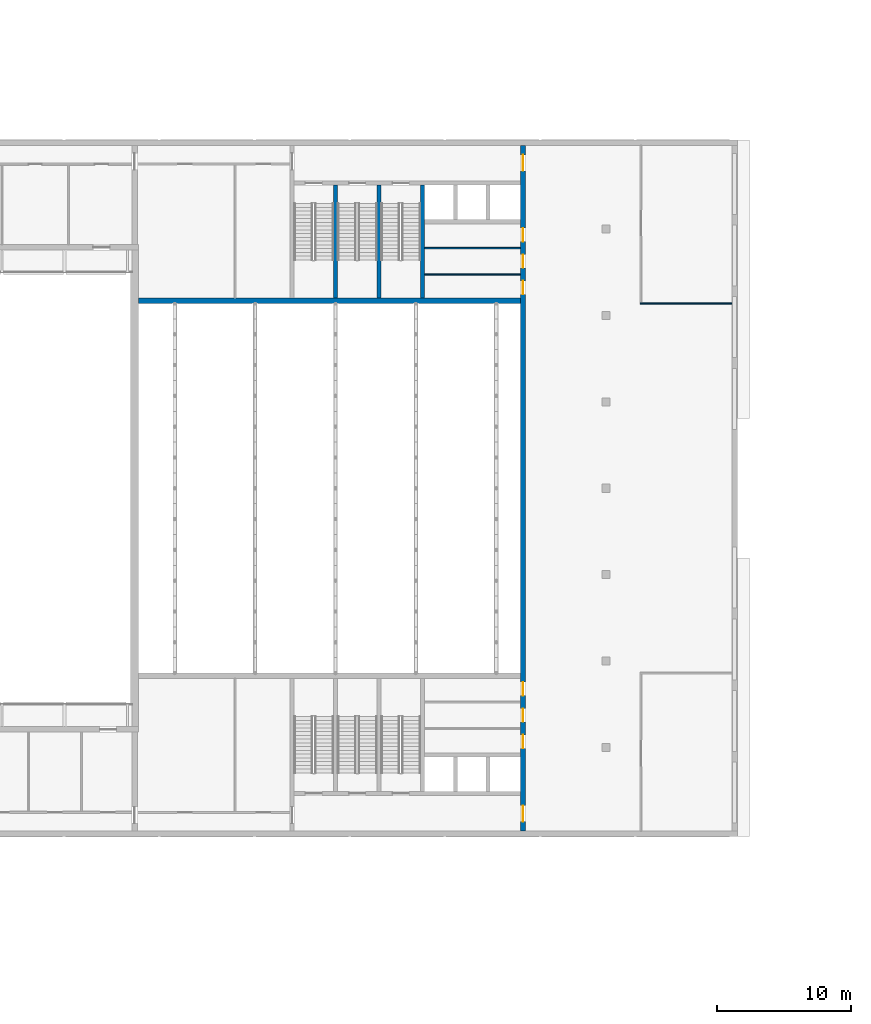
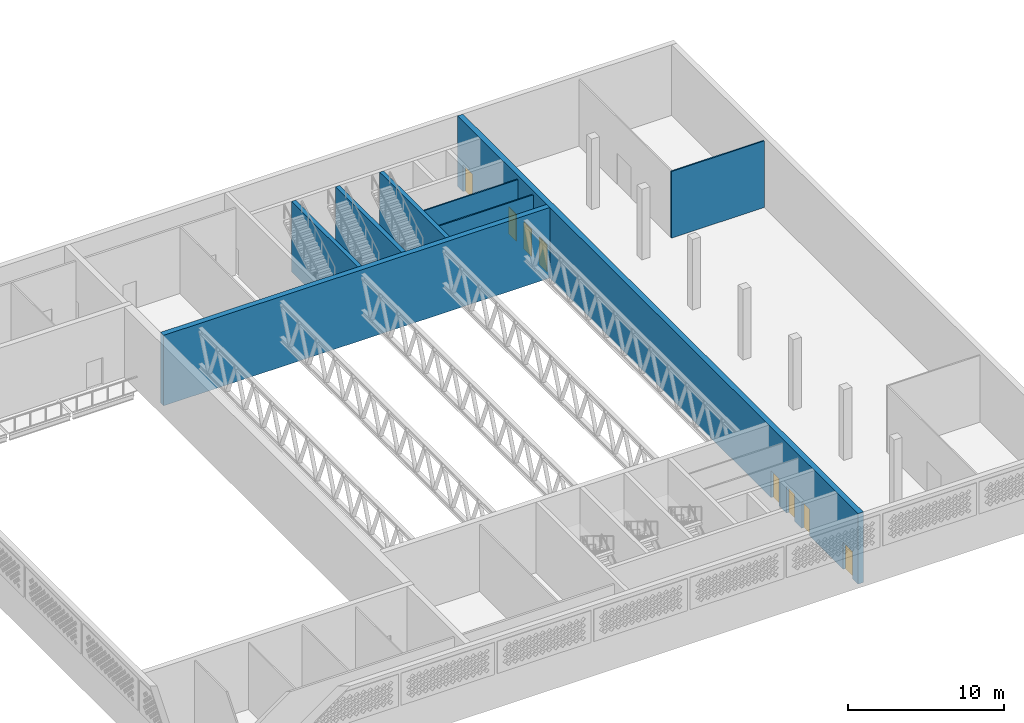
# One storey, part 11 of 69: 8 doors, 8 walls, 8 openings.
"""IFC4 building model written with IfcOpenShell, lengths in metres."""

from ifc_helpers import new_model, si_unit, direction, frame, frame_2d, origin, place, context, subcontext, project, spatial, rectangle, extrude, material, layer, layer_set, type_object, element, fill, save


model = new_model("IFC4")

# Units and contexts
model_context = context("Model", 3, precision=1e-05, world=origin(), true_north=direction((0.0, 1.0)))
body_context = subcontext(model_context, "Body", "Model", "MODEL_VIEW")
ifc_project = project(units=[si_unit("LENGTHUNIT", "METRE"), si_unit("AREAUNIT", "SQUARE_METRE"), si_unit("VOLUMEUNIT", "CUBIC_METRE"), si_unit("PLANEANGLEUNIT", "RADIAN"), si_unit("MASSUNIT", "GRAM", prefix="KILO")], contexts=[model_context])

# Site, building, storey
site_placement = place(None, origin())
site = spatial("IfcSite", under=ifc_project, at=site_placement, CompositionType="ELEMENT")
building_placement = place(site_placement, origin())
building = spatial("IfcBuilding", under=site, at=building_placement, Name="Noorbagh Ring Tower", CompositionType="ELEMENT")
storey_placement = place(building_placement, frame((0.0, 0.0, 19.5)))
storey = spatial("IfcBuildingStorey", under=building, at=storey_placement, Name="L03", CompositionType="ELEMENT", Elevation=19.5)

# Walls
ifc_material_1 = material(Name="Gypsum board on steel studs", Category="steel")
ifc_layer_1 = layer(ifc_material_1, 0.10009765625)
ifc_layer_set_1 = layer_set([ifc_layer_1], Name="Gypsum board on steel studs")
wall_type_1 = type_object("IfcWallType", Name="TH-PART-100", PredefinedType="PARTITIONING", material=ifc_layer_set_1)
wall_1_placement = place(storey_placement, frame((-102.25, 18.800048828125, 0.0), z_axis=(0.0, 0.0, 1.0), x_axis=(1.0, 0.0, 0.0)))
element("IfcWall", 1, at=wall_1_placement, inside=storey, type_object=wall_type_1, Name="L03/th-wall/033", PredefinedType="PARTITIONING", context=body_context, shape_type="SweptSolid", body=[
    extrude(rectangle(XDim=6.85009765625, YDim=0.10009765625, at=frame_2d((3.425048828125, 0.0))), origin(), (0.0, 0.0, 1.0), 5.199951171875),
])
for number, where, z_axis, x_axis, name in (
    (2, (-118.35009765625, 20.967041015625, 0.0), (0.0, 0.0, 1.0), (1.0, 0.0, 0.0), "L03/th-wall/034"),
    (3, (-118.35009765625, 22.93310546875, 0.0), (0.0, 0.0, 1.0), (1.0, 0.0, 0.0), "L03/th-wall/035"),
):
    element("IfcWall", number, at=place(storey_placement, frame(where, z_axis=z_axis, x_axis=x_axis)), inside=storey, type_object=wall_type_1, Name=name, PredefinedType="PARTITIONING", context=body_context, shape_type="SweptSolid", body=[
        extrude(rectangle(XDim=7.150146484375, YDim=0.10009765625, at=frame_2d((3.5751953125, 0.0))), origin(), (0.0, 0.0, 1.0), 5.199951171875),
    ])
ifc_material_2 = material(Name="Concrete C50/60", Category="concrete")
ifc_layer_2 = layer(ifc_material_2, 0.300048828125)
ifc_layer_set_2 = layer_set([ifc_layer_2], Name="Concrete C50/60")
wall_type_2 = type_object("IfcWallType", Name="TH-WALL-CORE", PredefinedType="SHEAR", material=ifc_layer_set_2)
for number, where, z_axis, x_axis, name in (
    (4, (-125.0, 19.199951171875, 0.0), (0.0, 0.0, 1.0), (0.0, 1.0, 0.0), "Stair wall"),
    (5, (-121.75, 19.199951171875, 0.0), (0.0, 0.0, 1.0), (0.0, 1.0, 0.0), "Stair wall"),
    (6, (-118.5, 19.199951171875, 0.0), (0.0, 0.0, 1.0), (0.0, 1.0, 0.0), "Stair wall"),
):
    element("IfcWall", number, at=place(storey_placement, frame(where, z_axis=z_axis, x_axis=x_axis)), inside=storey, type_object=wall_type_2, Name=name, PredefinedType="SHEAR", context=body_context, shape_type="SweptSolid", body=[
        extrude(rectangle(XDim=8.449951171875, YDim=0.300048828125, at=frame_2d((4.22509765625, 0.0))), origin(), (0.0, 0.0, 1.0), 5.5),
    ])
ifc_material_3 = material(Name="Concrete C50/60", Category="concrete")
ifc_layer_3 = layer(ifc_material_3, 0.39990234375)
ifc_layer_set_3 = layer_set([ifc_layer_3], Name="Concrete C50/60")
wall_type_3 = type_object("IfcWallType", Name="TH-WALL-HALL", PredefinedType="SOLIDWALL", material=ifc_layer_set_3)
wall_2_placement = place(storey_placement, frame((-139.699951171875, 19.0, 0.0), z_axis=(0.0, 0.0, 1.0), x_axis=(1.0, 0.0, 0.0)))
element("IfcWall", 7, at=wall_2_placement, inside=storey, type_object=wall_type_3, Name="Auditorium wall north", PredefinedType="SOLIDWALL", context=body_context, shape_type="SweptSolid", body=[
    extrude(rectangle(XDim=28.5, YDim=0.39990234375, at=frame_2d((14.25, 0.0))), origin(), (0.0, 0.0, 1.0), 5.5),
])

# Wall, openings, doors
wall_3_placement = place(storey_placement, frame((-111.0, -20.60009765625, 0.0), z_axis=(0.0, 0.0, 1.0), x_axis=(0.0, 1.0, 0.0)))
wall_3 = element("IfcWall", 8, at=wall_3_placement, inside=storey, type_object=wall_type_3, Name="Auditorium rear wall", PredefinedType="SOLIDWALL", context=body_context, shape_type="SweptSolid", body=[
    extrude(rectangle(XDim=51.2001953125, YDim=0.39990234375, at=frame_2d((25.60009765625, 0.0))), origin(), (0.0, 0.0, 1.0), 5.5),
])
opening_1_placement = place(wall_3_placement, frame((0.699951171875, 0.0, 0.0)))
opening_1 = element("IfcOpeningElement", 9, at=opening_1_placement, cuts=wall_3, Name="Opening TL03-D28", PredefinedType="OPENING", context=body_context, shape_type="SweptSolid", body=[
    extrude(rectangle(XDim=1.199951171875, YDim=2.10009765625, at=frame_2d((0.60009765625, 1.050048828125))), frame((0.0, 0.2099609375, 0.0), z_axis=(0.0, -1.0, 0.0), x_axis=(1.0, 0.0, 0.0)), (0.0, 0.0, 1.0), 0.419921875),
])
opening_2_placement = place(wall_3_placement, frame((6.18408203125, 0.0, 0.0)))
opening_2 = element("IfcOpeningElement", 10, at=opening_2_placement, cuts=wall_3, Name="Opening TL03-D29", PredefinedType="OPENING", context=body_context, shape_type="SweptSolid", body=[
    extrude(rectangle(XDim=1.0, YDim=2.10009765625, at=frame_2d((0.5, 1.050048828125))), frame((0.0, 0.2099609375, 0.0), z_axis=(0.0, -1.0, 0.0), x_axis=(1.0, 0.0, 0.0)), (0.0, 0.0, 1.0), 0.419921875),
])
opening_3_placement = place(wall_3_placement, frame((8.14990234375, 0.0, 0.0)))
opening_3 = element("IfcOpeningElement", 11, at=opening_3_placement, cuts=wall_3, Name="Opening TL03-D30", PredefinedType="OPENING", context=body_context, shape_type="SweptSolid", body=[
    extrude(rectangle(XDim=1.0, YDim=2.10009765625, at=frame_2d((0.5, 1.050048828125))), frame((0.0, 0.2099609375, 0.0), z_axis=(0.0, -1.0, 0.0), x_axis=(1.0, 0.0, 0.0)), (0.0, 0.0, 1.0), 0.419921875),
])
opening_4_placement = place(wall_3_placement, frame((10.116943359375, 0.0, 0.0)))
opening_4 = element("IfcOpeningElement", 12, at=opening_4_placement, cuts=wall_3, Name="Opening TL03-D31", PredefinedType="OPENING", context=body_context, shape_type="SweptSolid", body=[
    extrude(rectangle(XDim=1.0, YDim=2.10009765625, at=frame_2d((0.5, 1.050048828125))), frame((0.0, 0.2099609375, 0.0), z_axis=(0.0, -1.0, 0.0), x_axis=(1.0, 0.0, 0.0)), (0.0, 0.0, 1.0), 0.419921875),
])
opening_5_placement = place(wall_3_placement, frame((49.300048828125, 0.0, 0.0)))
opening_5 = element("IfcOpeningElement", 13, at=opening_5_placement, cuts=wall_3, Name="Opening TL03-D32", PredefinedType="OPENING", context=body_context, shape_type="SweptSolid", body=[
    extrude(rectangle(XDim=1.199951171875, YDim=2.10009765625, at=frame_2d((0.60009765625, 1.050048828125))), frame((0.0, 0.2099609375, 0.0), z_axis=(0.0, -1.0, 0.0), x_axis=(1.0, 0.0, 0.0)), (0.0, 0.0, 1.0), 0.419921875),
])
opening_6_placement = place(wall_3_placement, frame((44.01708984375, 0.0, 0.0)))
opening_6 = element("IfcOpeningElement", 14, at=opening_6_placement, cuts=wall_3, Name="Opening TL03-D33", PredefinedType="OPENING", context=body_context, shape_type="SweptSolid", body=[
    extrude(rectangle(XDim=1.0, YDim=2.10009765625, at=frame_2d((0.5, 1.050048828125))), frame((0.0, 0.2099609375, 0.0), z_axis=(0.0, -1.0, 0.0), x_axis=(1.0, 0.0, 0.0)), (0.0, 0.0, 1.0), 0.419921875),
])
opening_7_placement = place(wall_3_placement, frame((42.050048828125, 0.0, 0.0)))
opening_7 = element("IfcOpeningElement", 15, at=opening_7_placement, cuts=wall_3, Name="Opening TL03-D34", PredefinedType="OPENING", context=body_context, shape_type="SweptSolid", body=[
    extrude(rectangle(XDim=1.0, YDim=2.10009765625, at=frame_2d((0.5, 1.050048828125))), frame((0.0, 0.2099609375, 0.0), z_axis=(0.0, -1.0, 0.0), x_axis=(1.0, 0.0, 0.0)), (0.0, 0.0, 1.0), 0.419921875),
])
opening_8_placement = place(wall_3_placement, frame((40.083984375, 0.0, 0.0)))
opening_8 = element("IfcOpeningElement", 16, at=opening_8_placement, cuts=wall_3, Name="Opening TL03-D35", PredefinedType="OPENING", context=body_context, shape_type="SweptSolid", body=[
    extrude(rectangle(XDim=1.0, YDim=2.10009765625, at=frame_2d((0.5, 1.050048828125))), frame((0.0, 0.2099609375, 0.0), z_axis=(0.0, -1.0, 0.0), x_axis=(1.0, 0.0, 0.0)), (0.0, 0.0, 1.0), 0.419921875),
])
ifc_material_4 = material(Name="Timber", Category="wood")
door_type_1 = type_object("IfcDoorType", Name="TH-DOOR-1000", OperationType="SINGLE_SWING_LEFT", PredefinedType="DOOR", material=ifc_material_4)
door_1_placement = place(opening_2_placement, origin())
door_1 = element("IfcDoor", 17, at=door_1_placement, inside=storey, type_object=door_type_1, Name="Door Administration office to Staff WC TL03-D29", OperationType="SINGLE_SWING_RIGHT", OverallHeight=2.10009765625, OverallWidth=1.0, PredefinedType="DOOR", context=body_context, shape_type="SweptSolid", body=[
    extrude(rectangle(XDim=1.0, YDim=2.10009765625, at=frame_2d((0.5, 1.050048828125))), frame((0.0, 0.02490234375, 0.0), z_axis=(0.0, -1.0, 0.0), x_axis=(1.0, 0.0, 0.0)), (0.0, 0.0, 1.0), 0.050048828125),
])
fill(opening_2, door_1)
door_2_placement = place(opening_3_placement, origin())
door_2 = element("IfcDoor", 18, at=door_2_placement, inside=storey, type_object=door_type_1, Name="Door Administration office to Staff shower TL03-D30", OperationType="SINGLE_SWING_RIGHT", OverallHeight=2.10009765625, OverallWidth=1.0, PredefinedType="DOOR", context=body_context, shape_type="SweptSolid", body=[
    extrude(rectangle(XDim=1.0, YDim=2.10009765625, at=frame_2d((0.5, 1.050048828125))), frame((0.0, 0.02490234375, 0.0), z_axis=(0.0, -1.0, 0.0), x_axis=(1.0, 0.0, 0.0)), (0.0, 0.0, 1.0), 0.050048828125),
])
fill(opening_3, door_2)
door_3_placement = place(opening_4_placement, origin())
door_3 = element("IfcDoor", 19, at=door_3_placement, inside=storey, type_object=door_type_1, Name="Door Administration office to Accessible WC TL03-D31", OperationType="SINGLE_SWING_RIGHT", OverallHeight=2.10009765625, OverallWidth=1.0, PredefinedType="DOOR", context=body_context, shape_type="SweptSolid", body=[
    extrude(rectangle(XDim=1.0, YDim=2.10009765625, at=frame_2d((0.5, 1.050048828125))), frame((0.0, 0.02490234375, 0.0), z_axis=(0.0, -1.0, 0.0), x_axis=(1.0, 0.0, 0.0)), (0.0, 0.0, 1.0), 0.050048828125),
])
fill(opening_4, door_3)
door_4_placement = place(opening_6_placement, origin())
door_4 = element("IfcDoor", 20, at=door_4_placement, inside=storey, type_object=door_type_1, Name="Door Administration office to Staff WC TL03-D33", OperationType="SINGLE_SWING_LEFT", OverallHeight=2.10009765625, OverallWidth=1.0, PredefinedType="DOOR", context=body_context, shape_type="SweptSolid", body=[
    extrude(rectangle(XDim=1.0, YDim=2.10009765625, at=frame_2d((0.5, 1.050048828125))), frame((0.0, 0.02490234375, 0.0), z_axis=(0.0, -1.0, 0.0), x_axis=(1.0, 0.0, 0.0)), (0.0, 0.0, 1.0), 0.050048828125),
])
fill(opening_6, door_4)
door_5_placement = place(opening_7_placement, origin())
door_5 = element("IfcDoor", 21, at=door_5_placement, inside=storey, type_object=door_type_1, Name="Door Administration office to Staff shower TL03-D34", OperationType="SINGLE_SWING_LEFT", OverallHeight=2.10009765625, OverallWidth=1.0, PredefinedType="DOOR", context=body_context, shape_type="SweptSolid", body=[
    extrude(rectangle(XDim=1.0, YDim=2.10009765625, at=frame_2d((0.5, 1.050048828125))), frame((0.0, 0.02490234375, 0.0), z_axis=(0.0, -1.0, 0.0), x_axis=(1.0, 0.0, 0.0)), (0.0, 0.0, 1.0), 0.050048828125),
])
fill(opening_7, door_5)
door_6_placement = place(opening_8_placement, origin())
door_6 = element("IfcDoor", 22, at=door_6_placement, inside=storey, type_object=door_type_1, Name="Door Administration office to Accessible WC TL03-D35", OperationType="SINGLE_SWING_LEFT", OverallHeight=2.10009765625, OverallWidth=1.0, PredefinedType="DOOR", context=body_context, shape_type="SweptSolid", body=[
    extrude(rectangle(XDim=1.0, YDim=2.10009765625, at=frame_2d((0.5, 1.050048828125))), frame((0.0, 0.02490234375, 0.0), z_axis=(0.0, -1.0, 0.0), x_axis=(1.0, 0.0, 0.0)), (0.0, 0.0, 1.0), 0.050048828125),
])
fill(opening_8, door_6)
ifc_material_5 = material(Name="Steel", Category="steel")
door_type_2 = type_object("IfcDoorType", Name="TH-DOOR-FIRE-1200", OperationType="SINGLE_SWING_LEFT", PredefinedType="DOOR", material=ifc_material_5)
door_7_placement = place(opening_1_placement, origin())
door_7 = element("IfcDoor", 23, at=door_7_placement, inside=storey, type_object=door_type_2, Name="Door Administration office to Exit lobby TL03-D28", OperationType="SINGLE_SWING_RIGHT", OverallHeight=2.10009765625, OverallWidth=1.199951171875, PredefinedType="DOOR", context=body_context, shape_type="SweptSolid", body=[
    extrude(rectangle(XDim=1.199951171875, YDim=2.10009765625, at=frame_2d((0.60009765625, 1.050048828125))), frame((0.0, 0.02490234375, 0.0), z_axis=(0.0, -1.0, 0.0), x_axis=(1.0, 0.0, 0.0)), (0.0, 0.0, 1.0), 0.050048828125),
])
fill(opening_1, door_7)
door_8_placement = place(opening_5_placement, origin())
door_8 = element("IfcDoor", 24, at=door_8_placement, inside=storey, type_object=door_type_2, Name="Door Administration office to Exit lobby TL03-D32", OperationType="SINGLE_SWING_LEFT", OverallHeight=2.10009765625, OverallWidth=1.199951171875, PredefinedType="DOOR", context=body_context, shape_type="SweptSolid", body=[
    extrude(rectangle(XDim=1.199951171875, YDim=2.10009765625, at=frame_2d((0.60009765625, 1.050048828125))), frame((0.0, 0.02490234375, 0.0), z_axis=(0.0, -1.0, 0.0), x_axis=(1.0, 0.0, 0.0)), (0.0, 0.0, 1.0), 0.050048828125),
])
fill(opening_5, door_8)

save(model, "model.ifc")
